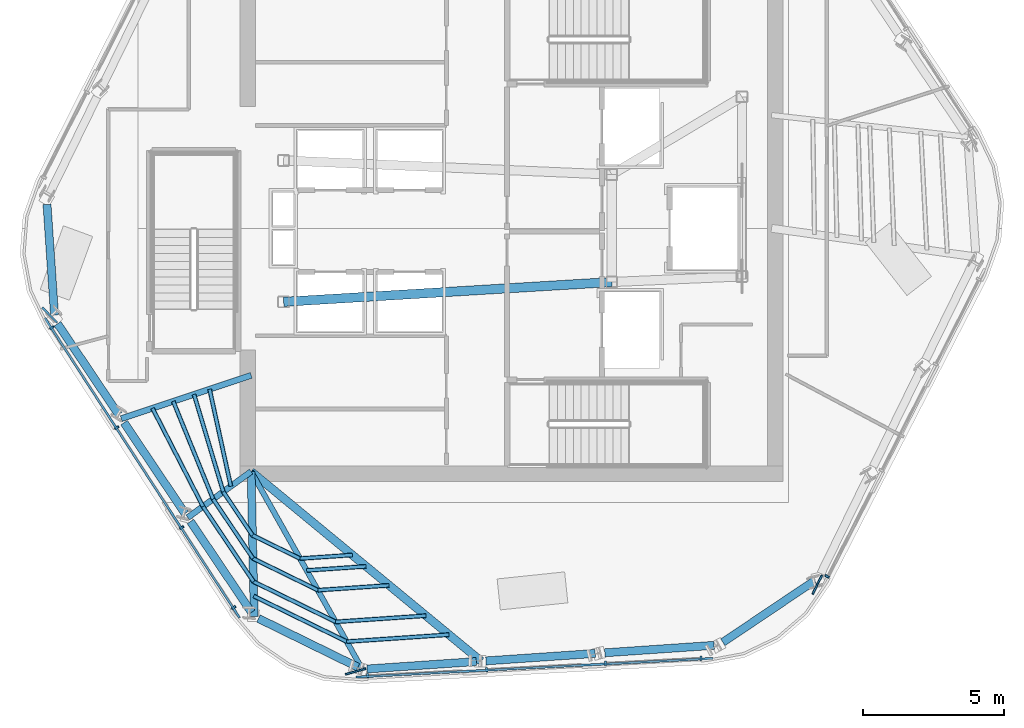
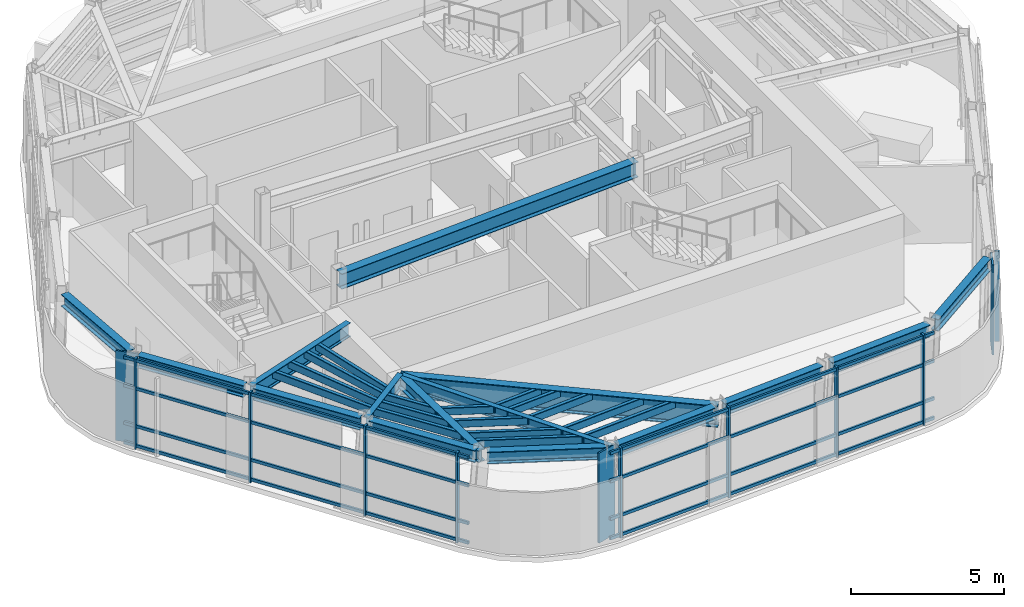
# One storey, part 2 of 13: 36 members, 15 beams, 3 elements without a shape of their own.
"""IFC4 building model written with IfcOpenShell, lengths in metres."""

import ifcopenshell
import ifcopenshell.guid

model = None  # the IFC model being written
_history = None  # IfcOwnerHistory: only IFC2X3 demands one
_inside = {}  # id of a spatial element -> (the spatial element, [elements in it])
_under = {}  # id of a project, library or spatial element -> (it, [spatial elements below it])
_declared = {}  # id of a project -> (the project, [libraries it declares])
_typed = {}  # id of a type object -> (the type object, [elements of that type])
_made_of = {}  # id of a material, layer set ... -> (it, [elements and type objects made of it])


def new_model(schema):
    """Start an empty IFC model of exactly this schema.

    Asked for "IFC4X3", IfcOpenShell would pick the latest addendum, in which some entities
    have other attributes; the version numbers below select the first issue.
    IFC2X3 requires an IfcOwnerHistory on every rooted entity: one is made here for all.
    """
    global model, _history
    if schema == "IFC4X3":
        model = ifcopenshell.file(schema_version=(4, 3, 0, 0))
    else:
        model = ifcopenshell.file(schema=schema)
    _inside.clear()
    _under.clear()
    _declared.clear()
    _typed.clear()
    _made_of.clear()
    _history = None
    if model.schema == "IFC2X3":
        org = make("IfcOrganization", Name="unknown")
        user = make(
            "IfcPersonAndOrganization",
            ThePerson=make("IfcPerson", FamilyName="unknown"),
            TheOrganization=org,
        )
        app = make(
            "IfcApplication",
            ApplicationDeveloper=org,
            Version="unknown",
            ApplicationFullName="unknown",
            ApplicationIdentifier="unknown",
        )
        _history = make(
            "IfcOwnerHistory",
            OwningUser=user,
            OwningApplication=app,
            ChangeAction="ADDED",
            CreationDate=0,
        )
    return model


def make(cls, **values):
    """One entity of the class cls with the attributes given. An attribute that is None is left unset."""
    return model.create_entity(
        cls, **{name: value for name, value in values.items() if value is not None}
    )


def rooted(cls, **values):
    """An entity with a GlobalId (a new one), such as an element, a storey or a relation."""
    return make(cls, GlobalId=ifcopenshell.guid.new(), OwnerHistory=_history, **values)


def si_unit(unit_type, name, prefix=None):
    """IfcSIUnit, for example si_unit("LENGTHUNIT", "METRE", prefix="MILLI")."""
    return make("IfcSIUnit", UnitType=unit_type, Prefix=prefix, Name=name)


def assignment(units):
    """IfcUnitAssignment: the units of a project."""
    return None if units is None else make("IfcUnitAssignment", Units=units)


def point(xyz):
    """IfcCartesianPoint."""
    return None if xyz is None else make("IfcCartesianPoint", Coordinates=xyz)


def direction(xyz):
    """IfcDirection."""
    return None if xyz is None else make("IfcDirection", DirectionRatios=xyz)


def frame(location, z_axis=None, x_axis=None):
    """IfcAxis2Placement3D, a coordinate frame: its origin and axes. An axis left out is left unset."""
    return make(
        "IfcAxis2Placement3D",
        Location=point(location),
        Axis=direction(z_axis),
        RefDirection=direction(x_axis),
    )


def frame_2d(location, x_axis=None):
    """IfcAxis2Placement2D, a coordinate frame in the plane: its origin and x axis."""
    return make(
        "IfcAxis2Placement2D", Location=point(location), RefDirection=direction(x_axis)
    )


def origin():
    """The frame at (0, 0, 0) with its axes left unset."""
    return frame((0.0, 0.0, 0.0))


def origin_2d():
    """The frame at (0, 0) in the plane with its x axis left unset."""
    return frame_2d((0.0, 0.0))


def place(relative_to, where):
    """IfcLocalPlacement: puts the frame where relative to a parent placement (None: the world)."""
    return make(
        "IfcLocalPlacement", PlacementRelTo=relative_to, RelativePlacement=where
    )


def context(
    kind, dimensions, precision=None, world=None, true_north=None, identifier=None
):
    """IfcGeometricRepresentationContext, for example the 3D "Model" context."""
    return make(
        "IfcGeometricRepresentationContext",
        ContextIdentifier=identifier,
        ContextType=kind,
        CoordinateSpaceDimension=dimensions,
        Precision=precision,
        WorldCoordinateSystem=world,
        TrueNorth=true_north,
    )


def subcontext(parent, identifier, kind, view, scale=None):
    """IfcGeometricRepresentationSubContext, for example "Body" below "Model"."""
    return make(
        "IfcGeometricRepresentationSubContext",
        ContextIdentifier=identifier,
        ContextType=kind,
        ParentContext=parent,
        TargetScale=scale,
        TargetView=view,
    )


def project(units=None, contexts=None):
    """IfcProject with its units and contexts."""
    return rooted(
        "IfcProject",
        Name="project",
        RepresentationContexts=contexts,
        UnitsInContext=assignment(units),
    )


def spatial(cls, under=None, at=None, **own):
    """A site, building, storey or space (cls), placed at a placement, below another one or the project."""
    s = rooted(cls, ObjectPlacement=at, **own)
    if under is not None:
        _under.setdefault(under.id(), (under, []))[1].append(s)
    return s


def profile(cls, at=None, kind="AREA", **sizes):
    """A parametric profile (cls). Its sizes go by their IFC names, for example OverallWidth=200.0."""
    return make(cls, ProfileType=kind, Position=at, **sizes)


def rectangle(**sizes):
    """IfcRectangleProfileDef."""
    return profile("IfcRectangleProfileDef", **sizes)


def hollow_rectangle(**sizes):
    """IfcRectangleHollowProfileDef."""
    return profile("IfcRectangleHollowProfileDef", **sizes)


def i_section(**sizes):
    """IfcIShapeProfileDef."""
    return profile("IfcIShapeProfileDef", **sizes)


def extrude(swept, where, along, depth):
    """IfcExtrudedAreaSolid: the profile swept, set in the frame where, extruded along a direction by depth."""
    return make(
        "IfcExtrudedAreaSolid",
        SweptArea=swept,
        Position=where,
        ExtrudedDirection=direction(along),
        Depth=depth,
    )


def shape(context_of_items, identifier, shape_type, items):
    """IfcShapeRepresentation: the items that make up one representation, for example the "Body"."""
    return make(
        "IfcShapeRepresentation",
        ContextOfItems=context_of_items,
        RepresentationIdentifier=identifier,
        RepresentationType=shape_type,
        Items=items,
    )


def material(Name=None, Category=None):
    """IfcMaterial."""
    return make("IfcMaterial", Name=Name, Category=Category)


def layer(
    of_material, thickness, ventilated=None, Name=None, Category=None, Priority=None
):
    """IfcMaterialLayer: one layer of a wall or slab, of a material (None: an air gap)."""
    return make(
        "IfcMaterialLayer",
        Material=of_material,
        LayerThickness=thickness,
        IsVentilated=ventilated,
        Name=Name,
        Category=Category,
        Priority=Priority,
    )


def layer_set(layers, Name=None):
    """IfcMaterialLayerSet."""
    return make("IfcMaterialLayerSet", MaterialLayers=layers, LayerSetName=Name)


def material_profile(
    of_material, cross_section, Name=None, Category=None, Priority=None
):
    """IfcMaterialProfile: a cross section and its material."""
    return make(
        "IfcMaterialProfile",
        Name=Name,
        Material=of_material,
        Profile=cross_section,
        Priority=Priority,
        Category=Category,
    )


def profile_set(profiles, Name=None, composite=None):
    """IfcMaterialProfileSet."""
    return make(
        "IfcMaterialProfileSet",
        Name=Name,
        MaterialProfiles=profiles,
        CompositeProfile=composite,
    )


def made_of(thing, what):
    """Note that an element or type object is made of a material, layer set ...; save() writes the relation."""
    if what is not None:
        _made_of.setdefault(what.id(), (what, []))[1].append(thing)
    return thing


def type_object(cls, material=None, **own):
    """A type object (cls), such as IfcWallType, which elements share."""
    return made_of(rooted(cls, **own), material)


def element(
    cls,
    number,
    at=None,
    inside=None,
    cuts=None,
    type_object=None,
    material=None,
    context=None,
    identifier="Body",
    shape_type=None,
    held_by="IfcProductDefinitionShape",
    body=None,
    shapes=None,
    **own,
):
    """One element of the class cls, such as IfcWall. Its Tag is "e" and its number.

    at: its placement. inside: the storey or other place that contains it. cuts: it is an
    opening in that element (IfcRelVoidsElement). A single representation is given by context,
    identifier, shape_type and body (its items); several are given by shapes. held_by: the class
    of the entity that holds the representations. save() writes the other relations.
    """
    e = rooted(cls, Tag="e%d" % number, ObjectPlacement=at, **own)
    if body is not None:
        shapes = [shape(context, identifier, shape_type, body)]
    if shapes is not None:
        e.Representation = make(held_by, Representations=shapes)
    if inside is not None:
        _inside.setdefault(inside.id(), (inside, []))[1].append(e)
    if cuts is not None:
        rooted(
            "IfcRelVoidsElement", RelatingBuildingElement=cuts, RelatedOpeningElement=e
        )
    if type_object is not None:
        _typed.setdefault(type_object.id(), (type_object, []))[1].append(e)
    return made_of(e, material)


def aggregate(whole, parts):
    """IfcRelAggregates: a whole, such as a stair, and the parts it consists of."""
    return rooted("IfcRelAggregates", RelatingObject=whole, RelatedObjects=parts)


def save(model, path):
    """Write the relations noted so far, then the file.

    IfcRelAggregates (storeys below a building ...), IfcRelContainedInSpatialStructure (elements
    in a storey), IfcRelDefinesByType, IfcRelAssociatesMaterial and IfcRelDeclares: one each for
    every whole, place, type object, material and project.
    """
    for whole, parts in _under.values():
        aggregate(whole, parts)
    for where, things in _inside.values():
        rooted(
            "IfcRelContainedInSpatialStructure",
            RelatedElements=things,
            RelatingStructure=where,
        )
    for kind, things in _typed.values():
        rooted("IfcRelDefinesByType", RelatedObjects=things, RelatingType=kind)
    for what, things in _made_of.values():
        rooted("IfcRelAssociatesMaterial", RelatedObjects=things, RelatingMaterial=what)
    for by, libraries in _declared.values():
        rooted("IfcRelDeclares", RelatingContext=by, RelatedDefinitions=libraries)
    model.write(path)


model = new_model("IFC4")

# Units and contexts
model_context = context("Model", 3, precision=1e-05, world=origin(), true_north=direction((0.0, 1.0)))
body_context = subcontext(model_context, "Body", "Model", "MODEL_VIEW")
ifc_project = project(units=[si_unit("LENGTHUNIT", "METRE"), si_unit("AREAUNIT", "SQUARE_METRE"), si_unit("VOLUMEUNIT", "CUBIC_METRE"), si_unit("PLANEANGLEUNIT", "RADIAN"), si_unit("MASSUNIT", "GRAM", prefix="KILO")], contexts=[model_context])

# Site, building, storey
site_placement = place(None, origin())
site = spatial("IfcSite", under=ifc_project, at=site_placement, CompositionType="ELEMENT")
building_placement = place(site_placement, origin())
building = spatial("IfcBuilding", under=site, at=building_placement, Name="Valkerne Bourse Tower", CompositionType="ELEMENT")
storey_placement = place(building_placement, frame((0.0, 0.0, 296.39990234375)))
storey = spatial("IfcBuildingStorey", under=building, at=storey_placement, Name="L75", CompositionType="ELEMENT", Elevation=296.39990234375)

# Beams
ifc_material_1 = material(Name="Steel ASTM A992", Category="steel")
ifc_material_profile_1 = material_profile(ifc_material_1, i_section(OverallWidth=0.284423828125, OverallDepth=0.47509765625, WebThickness=0.014892578125, FlangeThickness=0.02392578125, FilletRadius=0.017822265625, at=origin_2d()), Name="W18X106")
ifc_profile_set_1 = profile_set([ifc_material_profile_1], Name="Steel ASTM A992")
beam_type_1 = type_object("IfcBeamType", Name="BM-W18X106", PredefinedType="BEAM", material=ifc_profile_set_1)
beam_1_placement = place(storey_placement, frame((30.38330078125, 27.84326171875, 3.362548828125), z_axis=(0.067959007905, -0.997688114214, 0.0), x_axis=(0.997688114214, 0.067959007905, 0.0)))
element("IfcBeam", 1, at=beam_1_placement, inside=storey, type_object=beam_type_1, Name="L75 Hexagonal Spandrel Ring Beam 07", PredefinedType="BEAM", context=body_context, shape_type="SweptSolid", body=[
    extrude(i_section(OverallWidth=0.284423828125, OverallDepth=0.47509765625, WebThickness=0.014892578125, FlangeThickness=0.02392578125, FilletRadius=0.017822265625, at=origin_2d()), origin(), (0.0, 0.0, 1.0), 3.915771484375),
])
for number, where, z_axis, x_axis, name in (
    (2, (30.755859375, 23.6259765625, 3.362548828125), (0.557708580923, -0.830036829764, 0.0), (0.830036829764, 0.557708580923, 0.0), "L75 Hexagonal Spandrel Ring Beam 08"),
    (3, (33.10498046875, 20.1298828125, 3.362548828125), (0.557752020071, -0.830007640993, 0.0), (0.830007640993, 0.557752020071, 0.0), "L75 Hexagonal Spandrel Ring Beam 09"),
):
    element("IfcBeam", number, at=place(storey_placement, frame(where, z_axis=z_axis, x_axis=x_axis)), inside=storey, type_object=beam_type_1, Name=name, PredefinedType="BEAM", context=body_context, shape_type="SweptSolid", body=[
        extrude(i_section(OverallWidth=0.284423828125, OverallDepth=0.47509765625, WebThickness=0.014892578125, FlangeThickness=0.02392578125, FilletRadius=0.017822265625, at=origin_2d()), origin(), (0.0, 0.0, 1.0), 3.8720703125),
    ])
beam_2_placement = place(storey_placement, frame((35.454345703125, 16.6337890625, 3.362548828125), z_axis=(0.557781210136, -0.829988024985, 0.0), x_axis=(0.829988024985, 0.557781210136, 0.0)))
element("IfcBeam", 4, at=beam_2_placement, inside=storey, type_object=beam_type_1, Name="L75 Hexagonal Spandrel Ring Beam 10", PredefinedType="BEAM", context=body_context, shape_type="SweptSolid", body=[
    extrude(i_section(OverallWidth=0.284423828125, OverallDepth=0.47509765625, WebThickness=0.014892578125, FlangeThickness=0.02392578125, FilletRadius=0.017822265625, at=origin_2d()), origin(), (0.0, 0.0, 1.0), 3.871826171875),
])
beam_3_placement = place(storey_placement, frame((37.861328125, 13.2041015625, 3.362548828125), z_axis=(0.898026513904, -0.439941337368, 0.0), x_axis=(0.439941337368, 0.898026513904, 0.0)))
element("IfcBeam", 5, at=beam_3_placement, inside=storey, type_object=beam_type_1, Name="L75 Hexagonal Spandrel Ring Beam 11", PredefinedType="BEAM", context=body_context, shape_type="SweptSolid", body=[
    extrude(i_section(OverallWidth=0.284423828125, OverallDepth=0.47509765625, WebThickness=0.014892578125, FlangeThickness=0.02392578125, FilletRadius=0.017822265625, at=origin_2d()), origin(), (0.0, 0.0, 1.0), 3.915771484375),
])
beam_4_placement = place(storey_placement, frame((41.699951171875, 11.418212890625, 3.362548828125), z_axis=(0.997683011857, 0.06803387283, 0.0), x_axis=(-0.06803387283, 0.997683011857, 0.0)))
element("IfcBeam", 6, at=beam_4_placement, inside=storey, type_object=beam_type_1, Name="L75 Hexagonal Spandrel Ring Beam 12", PredefinedType="BEAM", context=body_context, shape_type="SweptSolid", body=[
    extrude(i_section(OverallWidth=0.284423828125, OverallDepth=0.47509765625, WebThickness=0.014892578125, FlangeThickness=0.02392578125, FilletRadius=0.017822265625, at=origin_2d()), origin(), (0.0, 0.0, 1.0), 3.8720703125),
])
beam_5_placement = place(storey_placement, frame((45.902099609375, 11.704833984375, 3.362548828125), z_axis=(0.997687580964, 0.067966835963, 0.0), x_axis=(-0.067966835963, 0.997687580964, 0.0)))
element("IfcBeam", 7, at=beam_5_placement, inside=storey, type_object=beam_type_1, Name="L75 Hexagonal Spandrel Ring Beam 13", PredefinedType="BEAM", context=body_context, shape_type="SweptSolid", body=[
    extrude(i_section(OverallWidth=0.284423828125, OverallDepth=0.47509765625, WebThickness=0.014892578125, FlangeThickness=0.02392578125, FilletRadius=0.017822265625, at=origin_2d()), origin(), (0.0, 0.0, 1.0), 3.872314453125),
])
beam_6_placement = place(storey_placement, frame((50.1044921875, 11.9912109375, 3.362548828125), z_axis=(0.997683011857, 0.06803387283, 0.0), x_axis=(-0.06803387283, 0.997683011857, 0.0)))
element("IfcBeam", 8, at=beam_6_placement, inside=storey, type_object=beam_type_1, Name="L75 Hexagonal Spandrel Ring Beam 14", PredefinedType="BEAM", context=body_context, shape_type="SweptSolid", body=[
    extrude(i_section(OverallWidth=0.284423828125, OverallDepth=0.47509765625, WebThickness=0.014892578125, FlangeThickness=0.02392578125, FilletRadius=0.017822265625, at=origin_2d()), origin(), (0.0, 0.0, 1.0), 3.8720703125),
])
beam_7_placement = place(storey_placement, frame((54.2783203125, 12.361083984375, 3.362548828125), z_axis=(0.830020735622, 0.557732533063, 0.0), x_axis=(-0.557732533063, 0.830020735622, 0.0)))
element("IfcBeam", 9, at=beam_7_placement, inside=storey, type_object=beam_type_1, Name="L75 Hexagonal Spandrel Ring Beam 15", PredefinedType="BEAM", context=body_context, shape_type="SweptSolid", body=[
    extrude(i_section(OverallWidth=0.284423828125, OverallDepth=0.47509765625, WebThickness=0.014892578125, FlangeThickness=0.02392578125, FilletRadius=0.017822265625, at=origin_2d()), origin(), (0.0, 0.0, 1.0), 3.91552734375),
])
ifc_material_profile_2 = material_profile(ifc_material_1, i_section(OverallWidth=0.1904296875, OverallDepth=0.457275390625, WebThickness=0.009033203125, FlangeThickness=0.014404296875, FilletRadius=0.01513671875, at=origin_2d()), Name="W18X50")
ifc_profile_set_2 = profile_set([ifc_material_profile_2], Name="Steel ASTM A992")
beam_type_2 = type_object("IfcBeamType", Name="BM-W18X50", PredefinedType="JOIST", material=ifc_profile_set_2)
beam_8_placement = place(storey_placement, frame((41.530517578125, 11.40673828125, 3.37158203125), z_axis=(-0.489954883865, 0.87174779138, 0.0), x_axis=(-0.87174779138, -0.489954883865, 0.0)))
element("IfcBeam", 10, at=beam_8_placement, inside=storey, type_object=beam_type_2, Name="L75 Radial Composite Floor Beam 12", PredefinedType="JOIST", context=body_context, shape_type="SweptSolid", body=[
    extrude(i_section(OverallWidth=0.1904296875, OverallDepth=0.457275390625, WebThickness=0.009033203125, FlangeThickness=0.014404296875, FilletRadius=0.01513671875, at=origin_2d()), origin(), (0.0, 0.0, 1.0), 8.02197265625),
])
ifc_material_profile_3 = material_profile(ifc_material_1, i_section(OverallWidth=0.279296875, OverallDepth=0.46240234375, WebThickness=0.0107421875, FlangeThickness=0.017333984375, FilletRadius=0.017822265625, at=origin_2d()), Name="W18X76")
ifc_profile_set_3 = profile_set([ifc_material_profile_3], Name="Steel ASTM A992")
beam_type_3 = type_object("IfcBeamType", Name="BM-W18X76", PredefinedType="BEAM", material=ifc_profile_set_3)
beam_9_placement = place(storey_placement, frame((37.708740234375, 13.279052734375, 3.368896484375), z_axis=(-0.021210959948, 0.999775022282, 0.0), x_axis=(-0.999775022282, -0.021210959948, 0.0)))
element("IfcBeam", 11, at=beam_9_placement, inside=storey, type_object=beam_type_3, Name="L75 Radial Composite Floor Beam 11", PredefinedType="BEAM", context=body_context, shape_type="SweptSolid", body=[
    extrude(i_section(OverallWidth=0.279296875, OverallDepth=0.46240234375, WebThickness=0.0107421875, FlangeThickness=0.017333984375, FilletRadius=0.017822265625, at=origin_2d()), origin(), (0.0, 0.0, 1.0), 5.1220703125),
])
ifc_material_profile_4 = material_profile(ifc_material_1, i_section(OverallWidth=0.209228515625, OverallDepth=0.533447265625, WebThickness=0.01025390625, FlangeThickness=0.015625, FilletRadius=0.017822265625, at=origin_2d()), Name="W21X62")
ifc_profile_set_4 = profile_set([ifc_material_profile_4], Name="Steel ASTM A992")
beam_type_4 = type_object("IfcBeamType", Name="BM-W21X62", PredefinedType="JOIST", material=ifc_profile_set_4)
beam_10_placement = place(storey_placement, frame((35.359619140625, 16.77490234375, 3.33349609375), z_axis=(0.809498296715, 0.587122225448, 0.0), x_axis=(-0.587122225448, 0.809498296715, 0.0)))
element("IfcBeam", 12, at=beam_10_placement, inside=storey, type_object=beam_type_4, Name="L75 Radial Composite Floor Beam 10", PredefinedType="JOIST", context=body_context, shape_type="SweptSolid", body=[
    extrude(i_section(OverallWidth=0.209228515625, OverallDepth=0.533447265625, WebThickness=0.01025390625, FlangeThickness=0.015625, FilletRadius=0.017822265625, at=origin_2d()), origin(), (0.0, 0.0, 1.0), 2.767822265625),
])
ifc_material_profile_5 = material_profile(ifc_material_1, i_section(OverallWidth=0.2138671875, OverallDepth=0.548583984375, WebThickness=0.0146484375, FlangeThickness=0.023681640625, FilletRadius=0.017822265625, at=origin_2d()), Name="W21X93")
ifc_profile_set_5 = profile_set([ifc_material_profile_5], Name="Steel ASTM A992")
beam_type_5 = type_object("IfcBeamType", Name="BM-W21X93", PredefinedType="BEAM", material=ifc_profile_set_5)
beam_11_placement = place(storey_placement, frame((33.01025390625, 20.27099609375, 3.32568359375), z_axis=(0.948738794746, 0.316061227207, 0.0), x_axis=(-0.316061227207, 0.948738794746, 0.0)))
element("IfcBeam", 13, at=beam_11_placement, inside=storey, type_object=beam_type_5, Name="L75 Radial Composite Floor Beam 09", PredefinedType="BEAM", context=body_context, shape_type="SweptSolid", body=[
    extrude(i_section(OverallWidth=0.2138671875, OverallDepth=0.548583984375, WebThickness=0.0146484375, FlangeThickness=0.023681640625, FilletRadius=0.017822265625, at=origin_2d()), origin(), (0.0, 0.0, 1.0), 4.837890625),
])
ifc_material_profile_6 = material_profile(ifc_material_1, i_section(OverallWidth=0.3251953125, OverallDepth=0.612060546875, WebThickness=0.0126953125, FlangeThickness=0.01904296875, FilletRadius=0.020263671875, at=origin_2d()), Name="W24X104")
ifc_profile_set_6 = profile_set([ifc_material_profile_6], Name="Steel ASTM A992")
beam_type_6 = type_object("IfcBeamType", Name="BM-W24X104", PredefinedType="BEAM", material=ifc_profile_set_6)
beam_12_placement = place(storey_placement, frame((38.75, 24.39990234375, 3.2939453125), z_axis=(0.998183228389, 0.060251494276, 0.0), x_axis=(-0.060251494276, 0.998183228389, 0.0)))
element("IfcBeam", 14, at=beam_12_placement, inside=storey, type_object=beam_type_6, Name="L75 Core Frame Girder CG-SW", PredefinedType="BEAM", context=body_context, shape_type="SweptSolid", body=[
    extrude(i_section(OverallWidth=0.3251953125, OverallDepth=0.612060546875, WebThickness=0.0126953125, FlangeThickness=0.01904296875, FilletRadius=0.020263671875, at=origin_2d()), origin(), (0.0, 0.0, 1.0), 11.62109375),
])
ifc_material_profile_7 = material_profile(ifc_material_1, i_section(OverallWidth=0.2919921875, OverallDepth=0.8583984375, WebThickness=0.01708984375, FlangeThickness=0.031005859375, FilletRadius=0.025390625, at=origin_2d()), Name="W33X169")
ifc_profile_set_7 = profile_set([ifc_material_profile_7], Name="Steel ASTM A992")
beam_type_7 = type_object("IfcBeamType", Name="BM-W33X169", PredefinedType="BEAM", material=ifc_profile_set_7)
beam_13_placement = place(storey_placement, frame((45.732666015625, 11.693115234375, 3.1708984375), z_axis=(-0.77149349346, 0.636237211697, 0.0), x_axis=(-0.636237211697, -0.77149349346, 0.0)))
element("IfcBeam", 15, at=beam_13_placement, inside=storey, type_object=beam_type_7, Name="L75 Radial Composite Floor Beam 13", PredefinedType="BEAM", context=body_context, shape_type="SweptSolid", body=[
    extrude(i_section(OverallWidth=0.2919921875, OverallDepth=0.8583984375, WebThickness=0.01708984375, FlangeThickness=0.031005859375, FilletRadius=0.025390625, at=origin_2d()), origin(), (0.0, 0.0, 1.0), 10.541259765625),
])

# Curtain wall, members
ifc_material_2 = material(Name="Aluminium AA 6063-T6", Category="aluminium")
ifc_layer = layer(ifc_material_2, 0.2451171875)
ifc_layer_set = layer_set([ifc_layer], Name="Aluminium AA 6063-T6")
curtain_wall_type = type_object("IfcCurtainWallType", Name="CW-05", PredefinedType="NOTDEFINED", material=ifc_layer_set)
curtain_wall_1_placement = place(storey_placement, origin())
curtain_wall_1 = element("IfcCurtainWall", 16, at=curtain_wall_1_placement, inside=storey, type_object=curtain_wall_type, Name="L75 Hexagonal Stick Curtain Wall Face 3", PredefinedType="NOTDEFINED")
ifc_material_profile_8 = material_profile(ifc_material_2, rectangle(XDim=0.074951171875, YDim=0.159912109375, at=origin_2d()), Name="CWM-75X160")
ifc_profile_set_8 = profile_set([ifc_material_profile_8], Name="Aluminium AA 6063-T6")
member_type_1 = type_object("IfcMemberType", Name="CW-MUL-160X75", PredefinedType="MULLION", material=ifc_profile_set_8)
member_1_placement = place(storey_placement, frame((30.555908203125, 23.4833984375, 0.0), z_axis=(0.0, 0.0, 1.0), x_axis=(0.544633637344, -0.838674073209, 0.0)))
member_1 = element("IfcMember", 17, at=member_1_placement, type_object=member_type_1, Name="CW-L75-F3 Jamb Mullion 00A", PredefinedType="MULLION", context=body_context, shape_type="SweptSolid", body=[
    extrude(rectangle(XDim=0.074951171875, YDim=0.159912109375, at=origin_2d()), origin(), (0.0, 0.0, 1.0), 3.60009765625),
])
member_2_placement = place(storey_placement, frame((32.849853515625, 19.950927734375, 0.0), z_axis=(0.0, 0.0, 1.0), x_axis=(0.544650336291, -0.838663228703, 0.0)))
member_2 = element("IfcMember", 18, at=member_2_placement, type_object=member_type_1, Name="CW-L75-F3 Jamb Mullion 01A", PredefinedType="MULLION", context=body_context, shape_type="SweptSolid", body=[
    extrude(rectangle(XDim=0.074951171875, YDim=0.159912109375, at=origin_2d()), origin(), (0.0, 0.0, 1.0), 3.60009765625),
])
member_3_placement = place(storey_placement, frame((35.143798828125, 16.41845703125, 0.0), z_axis=(0.0, 0.0, 1.0), x_axis=(0.544633637344, -0.838674073209, 0.0)))
member_3 = element("IfcMember", 19, at=member_3_placement, type_object=member_type_1, Name="CW-L75-F3 Jamb Mullion 02A", PredefinedType="MULLION", context=body_context, shape_type="SweptSolid", body=[
    extrude(rectangle(XDim=0.074951171875, YDim=0.159912109375, at=origin_2d()), origin(), (0.0, 0.0, 1.0), 3.60009765625),
])
member_4_placement = place(storey_placement, frame((36.98046875, 13.590576171875, 0.0), z_axis=(0.0, 0.0, 1.0), x_axis=(0.544633637344, -0.838674073209, 0.0)))
member_4 = element("IfcMember", 20, at=member_4_placement, type_object=member_type_1, Name="CW-L75-F3 Jamb Mullion 02B", PredefinedType="MULLION", context=body_context, shape_type="SweptSolid", body=[
    extrude(rectangle(XDim=0.074951171875, YDim=0.159912109375, at=origin_2d()), origin(), (0.0, 0.0, 1.0), 3.60009765625),
])

curtain_wall_2_placement = place(storey_placement, origin())
curtain_wall_2 = element("IfcCurtainWall", 21, at=curtain_wall_2_placement, inside=storey, type_object=curtain_wall_type, Name="L75 Hexagonal Stick Curtain Wall Face 4", PredefinedType="NOTDEFINED")
member_5_placement = place(storey_placement, frame((41.723388671875, 11.173828125, 0.0), z_axis=(0.0, 0.0, 1.0), x_axis=(0.998628760371, 0.052350730263, 0.0)))
member_5 = element("IfcMember", 22, at=member_5_placement, type_object=member_type_1, Name="CW-L75-F4 Jamb Mullion 00A", PredefinedType="MULLION", context=body_context, shape_type="SweptSolid", body=[
    extrude(rectangle(XDim=0.074951171875, YDim=0.159912109375, at=origin_2d()), origin(), (0.0, 0.0, 1.0), 3.60009765625),
])
member_6_placement = place(storey_placement, frame((45.929443359375, 11.394287109375, 0.0), z_axis=(0.0, 0.0, 1.0), x_axis=(0.998630066296, 0.05232581285, 0.0)))
member_6 = element("IfcMember", 23, at=member_6_placement, type_object=member_type_1, Name="CW-L75-F4 Jamb Mullion 01A", PredefinedType="MULLION", context=body_context, shape_type="SweptSolid", body=[
    extrude(rectangle(XDim=0.074951171875, YDim=0.159912109375, at=origin_2d()), origin(), (0.0, 0.0, 1.0), 3.60009765625),
])
member_7_placement = place(storey_placement, frame((50.1357421875, 11.61474609375, 0.0), z_axis=(0.0, 0.0, 1.0), x_axis=(0.99863000129, 0.052327053456, 0.0)))
member_7 = element("IfcMember", 24, at=member_7_placement, type_object=member_type_1, Name="CW-L75-F4 Jamb Mullion 02A", PredefinedType="MULLION", context=body_context, shape_type="SweptSolid", body=[
    extrude(rectangle(XDim=0.074951171875, YDim=0.159912109375, at=origin_2d()), origin(), (0.0, 0.0, 1.0), 3.60009765625),
])
member_8_placement = place(storey_placement, frame((53.503173828125, 11.791259765625, 0.0), z_axis=(0.0, 0.0, 1.0), x_axis=(0.99863000129, 0.052327053456, 0.0)))
member_8 = element("IfcMember", 25, at=member_8_placement, type_object=member_type_1, Name="CW-L75-F4 Jamb Mullion 02B", PredefinedType="MULLION", context=body_context, shape_type="SweptSolid", body=[
    extrude(rectangle(XDim=0.074951171875, YDim=0.159912109375, at=origin_2d()), origin(), (0.0, 0.0, 1.0), 3.60009765625),
])

# Curtain wall, member
curtain_wall_3_placement = place(storey_placement, origin())
curtain_wall_3 = element("IfcCurtainWall", 26, at=curtain_wall_3_placement, inside=storey, type_object=curtain_wall_type, Name="L75 Hexagonal Stick Curtain Wall Face 5", PredefinedType="NOTDEFINED")
member_9_placement = place(storey_placement, frame((57.967529296875, 14.6904296875, 0.0), z_axis=(0.0, 0.0, 1.0), x_axis=(0.453981261925, 0.89101123103, 0.0)))
member_9 = element("IfcMember", 27, at=member_9_placement, type_object=member_type_1, Name="CW-L75-F5 Jamb Mullion 00A", PredefinedType="MULLION", context=body_context, shape_type="SweptSolid", body=[
    extrude(rectangle(XDim=0.074951171875, YDim=0.159912109375, at=origin_2d()), origin(), (0.0, 0.0, 1.0), 3.60009765625),
])
aggregate(curtain_wall_3, [member_9])

# Member
ifc_material_profile_9 = material_profile(ifc_material_2, rectangle(XDim=0.074951171875, YDim=0.1201171875, at=origin_2d()), Name="CWT-75X120")
ifc_profile_set_9 = profile_set([ifc_material_profile_9], Name="Aluminium AA 6063-T6")
member_type_2 = type_object("IfcMemberType", Name="CW-TRN-120X75", PredefinedType="USERDEFINED", material=ifc_profile_set_9)
member_10_placement = place(storey_placement, frame((30.310302734375, 23.82470703125, 0.1201171875), z_axis=(0.544641271926, -0.838669115274, 0.0), x_axis=(0.838669115274, 0.544641271926, 0.0)))
member_10 = element("IfcMember", 28, at=member_10_placement, type_object=member_type_2, Name="CW-L75-F3 Continuous Face Transom 1", ObjectType="TRANSOM", PredefinedType="USERDEFINED", context=body_context, shape_type="SweptSolid", body=[
    extrude(rectangle(XDim=0.074951171875, YDim=0.1201171875, at=origin_2d()), origin(), (0.0, 0.0, 1.0), 12.635986328125),
])

member_11_placement = place(storey_placement, frame((30.310302734375, 23.82470703125, 0.900146484375), z_axis=(0.544641271926, -0.838669115274, 0.0), x_axis=(0.838669115274, 0.544641271926, 0.0)))
member_11 = element("IfcMember", 29, at=member_11_placement, type_object=member_type_2, Name="CW-L75-F3 Continuous Face Transom 2", ObjectType="TRANSOM", PredefinedType="USERDEFINED", context=body_context, shape_type="SweptSolid", body=[
    extrude(rectangle(XDim=0.074951171875, YDim=0.1201171875, at=origin_2d()), origin(), (0.0, 0.0, 1.0), 12.635986328125),
])

member_12_placement = place(storey_placement, frame((30.310302734375, 23.82470703125, 2.400146484375), z_axis=(0.544641271926, -0.838669115274, 0.0), x_axis=(0.838669115274, 0.544641271926, 0.0)))
member_12 = element("IfcMember", 30, at=member_12_placement, type_object=member_type_2, Name="CW-L75-F3 Continuous Face Transom 3", ObjectType="TRANSOM", PredefinedType="USERDEFINED", context=body_context, shape_type="SweptSolid", body=[
    extrude(rectangle(XDim=0.074951171875, YDim=0.1201171875, at=origin_2d()), origin(), (0.0, 0.0, 1.0), 12.635986328125),
])

member_13_placement = place(storey_placement, frame((30.310302734375, 23.82470703125, 3.52001953125), z_axis=(0.544641271926, -0.838669115274, 0.0), x_axis=(0.838669115274, 0.544641271926, 0.0)))
member_13 = element("IfcMember", 31, at=member_13_placement, type_object=member_type_2, Name="CW-L75-F3 Continuous Face Transom 4", ObjectType="TRANSOM", PredefinedType="USERDEFINED", context=body_context, shape_type="SweptSolid", body=[
    extrude(rectangle(XDim=0.074951171875, YDim=0.1201171875, at=origin_2d()), origin(), (0.0, 0.0, 1.0), 12.635986328125),
])

aggregate(curtain_wall_1, [member_10, member_11, member_12, member_13, member_1, member_2, member_3, member_4])

member_14_placement = place(storey_placement, frame((41.304931640625, 11.1318359375, 0.1201171875), z_axis=(0.998629280758, 0.052340802569, 0.0), x_axis=(-0.052340802569, 0.998629280758, 0.0)))
member_14 = element("IfcMember", 32, at=member_14_placement, type_object=member_type_2, Name="CW-L75-F4 Continuous Face Transom 1", ObjectType="TRANSOM", PredefinedType="USERDEFINED", context=body_context, shape_type="SweptSolid", body=[
    extrude(rectangle(XDim=0.074951171875, YDim=0.1201171875, at=origin_2d()), origin(), (0.0, 0.0, 1.0), 12.635986328125),
])

member_15_placement = place(storey_placement, frame((41.304931640625, 11.1318359375, 0.900146484375), z_axis=(0.998629280758, 0.052340802569, 0.0), x_axis=(-0.052340802569, 0.998629280758, 0.0)))
member_15 = element("IfcMember", 33, at=member_15_placement, type_object=member_type_2, Name="CW-L75-F4 Continuous Face Transom 2", ObjectType="TRANSOM", PredefinedType="USERDEFINED", context=body_context, shape_type="SweptSolid", body=[
    extrude(rectangle(XDim=0.074951171875, YDim=0.1201171875, at=origin_2d()), origin(), (0.0, 0.0, 1.0), 12.635986328125),
])

member_16_placement = place(storey_placement, frame((41.304931640625, 11.1318359375, 2.400146484375), z_axis=(0.998629280758, 0.052340802569, 0.0), x_axis=(-0.052340802569, 0.998629280758, 0.0)))
member_16 = element("IfcMember", 34, at=member_16_placement, type_object=member_type_2, Name="CW-L75-F4 Continuous Face Transom 3", ObjectType="TRANSOM", PredefinedType="USERDEFINED", context=body_context, shape_type="SweptSolid", body=[
    extrude(rectangle(XDim=0.074951171875, YDim=0.1201171875, at=origin_2d()), origin(), (0.0, 0.0, 1.0), 12.635986328125),
])

member_17_placement = place(storey_placement, frame((41.304931640625, 11.1318359375, 3.52001953125), z_axis=(0.998629280758, 0.052340802569, 0.0), x_axis=(-0.052340802569, 0.998629280758, 0.0)))
member_17 = element("IfcMember", 35, at=member_17_placement, type_object=member_type_2, Name="CW-L75-F4 Continuous Face Transom 4", ObjectType="TRANSOM", PredefinedType="USERDEFINED", context=body_context, shape_type="SweptSolid", body=[
    extrude(rectangle(XDim=0.074951171875, YDim=0.1201171875, at=origin_2d()), origin(), (0.0, 0.0, 1.0), 12.635986328125),
])

aggregate(curtain_wall_2, [member_14, member_15, member_16, member_17, member_5, member_6, member_7, member_8])

# Members
ifc_material_3 = material(Name="Bronze Anodised Aluminium AA 6063-T6", Category="aluminium")
ifc_material_profile_10 = material_profile(ifc_material_3, rectangle(XDim=0.06494140625, YDim=0.75, at=origin_2d()), Name="FIN-65X750")
ifc_profile_set_10 = profile_set([ifc_material_profile_10], Name="Bronze Anodised Aluminium AA 6063-T6")
member_type_3 = type_object("IfcMemberType", Name="FIN-SOLAR-650", PredefinedType="USERDEFINED", material=ifc_profile_set_10)
for number, where, z_axis, x_axis, name in (
    (36, (30.47802734375, 23.933837890625, 0.004150390625), (0.0, 0.0, 1.0), (-0.71279342711, -0.701374030221, 0.0), "L75 Bronze Anodised Solar Fin F3-00"),
    (37, (41.29443359375, 11.33154296875, 0.004150390625), (0.0, 0.0, 1.0), (0.269540948776, -0.96298892877, 0.0), "L75 Bronze Anodised Solar Fin F4-00"),
    (38, (57.616455078125, 14.39794921875, 0.004150390625), (0.0, 0.0, 1.0), (0.899549214931, -0.43681942484, 0.0), "L75 Bronze Anodised Solar Fin F5-00"),
):
    element("IfcMember", number, at=place(storey_placement, frame(where, z_axis=z_axis, x_axis=x_axis)), inside=storey, type_object=member_type_3, Name=name, ObjectType="SOLAR_FIN", PredefinedType="USERDEFINED", context=body_context, shape_type="SweptSolid", body=[
        extrude(rectangle(XDim=0.06494140625, YDim=0.75, at=origin_2d()), origin(), (0.0, 0.0, 1.0), 3.592041015625),
    ])
ifc_material_4 = material(Name="Steel ASTM A500 Grade C", Category="steel")
ifc_material_profile_11 = material_profile(ifc_material_4, hollow_rectangle(XDim=0.14990234375, YDim=0.300048828125, WallThickness=0.012451171875, OuterFilletRadius=0.02490234375, at=origin_2d()), Name="HSS300X150X12.5")
ifc_profile_set_11 = profile_set([ifc_material_profile_11], Name="Steel ASTM A500 Grade C")
member_type_4 = type_object("IfcMemberType", Name="MBR-HSS300X150X12.5", PredefinedType="PURLIN", material=ifc_profile_set_11)
member_18_placement = place(storey_placement, frame((36.13134765625, 21.310791015625, 3.440185546875), z_axis=(0.214022328208, -0.97682876853, 0.0), x_axis=(0.97682876853, 0.214022328208, 0.0)))
element("IfcMember", 39, at=member_18_placement, inside=storey, type_object=member_type_4, Name="L75 Secondary Composite Floor Purlin I-09", PredefinedType="PURLIN", context=body_context, shape_type="SweptSolid", body=[
    extrude(hollow_rectangle(XDim=0.14990234375, YDim=0.300048828125, WallThickness=0.012451171875, OuterFilletRadius=0.02490234375, at=origin_2d()), origin(), (0.0, 0.0, 1.0), 3.51220703125),
])
member_19_placement = place(storey_placement, frame((35.58056640625, 21.127197265625, 3.440185546875), z_axis=(0.287615855273, -0.957745853447, 0.0), x_axis=(0.957745853447, 0.287615855273, 0.0)))
element("IfcMember", 40, at=member_19_placement, inside=storey, type_object=member_type_4, Name="L75 Secondary Composite Floor Purlin K-09", PredefinedType="PURLIN", context=body_context, shape_type="SweptSolid", body=[
    extrude(hollow_rectangle(XDim=0.14990234375, YDim=0.300048828125, WallThickness=0.012451171875, OuterFilletRadius=0.02490234375, at=origin_2d()), origin(), (0.0, 0.0, 1.0), 3.593994140625),
])
member_20_placement = place(storey_placement, frame((36.6142578125, 17.68505859375, 3.440185546875), z_axis=(0.557645609806, -0.83007913711, 0.0), x_axis=(0.83007913711, 0.557645609806, 0.0)))
element("IfcMember", 41, at=member_20_placement, inside=storey, type_object=member_type_4, Name="L75 Secondary Composite Floor Purlin K-10", PredefinedType="PURLIN", context=body_context, shape_type="SweptSolid", body=[
    extrude(hollow_rectangle(XDim=0.14990234375, YDim=0.300048828125, WallThickness=0.012451171875, OuterFilletRadius=0.02490234375, at=origin_2d()), origin(), (0.0, 0.0, 1.0), 1.853271484375),
])
member_21_placement = place(storey_placement, frame((37.647705078125, 16.146728515625, 3.440185546875), z_axis=(0.898047992262, -0.439897492144, 0.0), x_axis=(0.439897492144, 0.898047992262, 0.0)))
element("IfcMember", 42, at=member_21_placement, inside=storey, type_object=member_type_4, Name="L75 Secondary Composite Floor Purlin K-11", PredefinedType="PURLIN", context=body_context, shape_type="SweptSolid", body=[
    extrude(hollow_rectangle(XDim=0.14990234375, YDim=0.300048828125, WallThickness=0.012451171875, OuterFilletRadius=0.02490234375, at=origin_2d()), origin(), (0.0, 0.0, 1.0), 1.87255859375),
])
member_22_placement = place(storey_placement, frame((39.329345703125, 15.322998046875, 3.440185546875), z_axis=(0.997686739709, 0.067979183638, 0.0), x_axis=(-0.067979183638, 0.997686739709, 0.0)))
element("IfcMember", 43, at=member_22_placement, inside=storey, type_object=member_type_4, Name="L75 Secondary Composite Floor Purlin K-12", PredefinedType="PURLIN", context=body_context, shape_type="SweptSolid", body=[
    extrude(hollow_rectangle(XDim=0.14990234375, YDim=0.300048828125, WallThickness=0.012451171875, OuterFilletRadius=0.02490234375, at=origin_2d()), origin(), (0.0, 0.0, 1.0), 1.853271484375),
])
member_23_placement = place(storey_placement, frame((39.565185546875, 14.9033203125, 3.440185546875), z_axis=(0.997681904234, 0.068050113617, 0.0), x_axis=(-0.068050113617, 0.997681904234, 0.0)))
element("IfcMember", 44, at=member_23_placement, inside=storey, type_object=member_type_4, Name="L75 Secondary Composite Floor Purlin M-12", PredefinedType="PURLIN", context=body_context, shape_type="SweptSolid", body=[
    extrude(hollow_rectangle(XDim=0.14990234375, YDim=0.300048828125, WallThickness=0.012451171875, OuterFilletRadius=0.02490234375, at=origin_2d()), origin(), (0.0, 0.0, 1.0), 2.10595703125),
])
member_24_placement = place(storey_placement, frame((34.11181640625, 20.637939453125, 3.440185546875), z_axis=(0.457213803867, -0.889356811158, 0.0), x_axis=(0.889356811158, 0.457213803867, 0.0)))
element("IfcMember", 45, at=member_24_placement, inside=storey, type_object=member_type_4, Name="L75 Secondary Composite Floor Purlin O-09", PredefinedType="PURLIN", context=body_context, shape_type="SweptSolid", body=[
    extrude(hollow_rectangle(XDim=0.14990234375, YDim=0.300048828125, WallThickness=0.012451171875, OuterFilletRadius=0.02490234375, at=origin_2d()), origin(), (0.0, 0.0, 1.0), 3.905029296875),
])
member_25_placement = place(storey_placement, frame((35.897216796875, 17.1650390625, 3.440185546875), z_axis=(0.557741299414, -0.830014845005, 0.0), x_axis=(0.830014845005, 0.557741299414, 0.0)))
element("IfcMember", 46, at=member_25_placement, inside=storey, type_object=member_type_4, Name="L75 Secondary Composite Floor Purlin O-10", PredefinedType="PURLIN", context=body_context, shape_type="SweptSolid", body=[
    extrude(hollow_rectangle(XDim=0.14990234375, YDim=0.300048828125, WallThickness=0.012451171875, OuterFilletRadius=0.02490234375, at=origin_2d()), origin(), (0.0, 0.0, 1.0), 3.201171875),
])
member_26_placement = place(storey_placement, frame((37.6826171875, 14.508056640625, 3.440185546875), z_axis=(0.898035930592, -0.439922115112, 0.0), x_axis=(0.439922115112, 0.898035930592, 0.0)))
element("IfcMember", 47, at=member_26_placement, inside=storey, type_object=member_type_4, Name="L75 Secondary Composite Floor Purlin O-11", PredefinedType="PURLIN", context=body_context, shape_type="SweptSolid", body=[
    extrude(hollow_rectangle(XDim=0.14990234375, YDim=0.300048828125, WallThickness=0.012451171875, OuterFilletRadius=0.02490234375, at=origin_2d()), origin(), (0.0, 0.0, 1.0), 3.234375),
])
member_27_placement = place(storey_placement, frame((40.587158203125, 13.085205078125, 3.440185546875), z_axis=(0.997688278378, 0.067956597816, 0.0), x_axis=(-0.067956597816, 0.997688278378, 0.0)))
element("IfcMember", 48, at=member_27_placement, inside=storey, type_object=member_type_4, Name="L75 Secondary Composite Floor Purlin O-12", PredefinedType="PURLIN", context=body_context, shape_type="SweptSolid", body=[
    extrude(hollow_rectangle(XDim=0.14990234375, YDim=0.300048828125, WallThickness=0.012451171875, OuterFilletRadius=0.02490234375, at=origin_2d()), origin(), (0.0, 0.0, 1.0), 3.200927734375),
])
member_28_placement = place(storey_placement, frame((34.84619140625, 20.882568359375, 3.440185546875), z_axis=(0.377481733957, -0.926017030366, 0.0), x_axis=(0.926017030366, 0.377481733957, 0.0)))
element("IfcMember", 49, at=member_28_placement, inside=storey, type_object=member_type_4, Name="L75 Secondary Composite Floor Purlin Z-09", PredefinedType="PURLIN", context=body_context, shape_type="SweptSolid", body=[
    extrude(hollow_rectangle(XDim=0.14990234375, YDim=0.300048828125, WallThickness=0.012451171875, OuterFilletRadius=0.02490234375, at=origin_2d()), origin(), (0.0, 0.0, 1.0), 3.733642578125),
])
member_29_placement = place(storey_placement, frame((36.255615234375, 17.425048828125, 3.440185546875), z_axis=(0.557772767321, -0.829993698792, 0.0), x_axis=(0.829993698792, 0.557772767321, 0.0)))
element("IfcMember", 50, at=member_29_placement, inside=storey, type_object=member_type_4, Name="L75 Secondary Composite Floor Purlin Z-10", PredefinedType="PURLIN", context=body_context, shape_type="SweptSolid", body=[
    extrude(hollow_rectangle(XDim=0.14990234375, YDim=0.300048828125, WallThickness=0.012451171875, OuterFilletRadius=0.02490234375, at=origin_2d()), origin(), (0.0, 0.0, 1.0), 2.52734375),
])
member_30_placement = place(storey_placement, frame((37.665283203125, 15.327392578125, 3.440185546875), z_axis=(0.898031101123, -0.439931973623, 0.0), x_axis=(0.439931973623, 0.898031101123, 0.0)))
element("IfcMember", 51, at=member_30_placement, inside=storey, type_object=member_type_4, Name="L75 Secondary Composite Floor Purlin Z-11", PredefinedType="PURLIN", context=body_context, shape_type="SweptSolid", body=[
    extrude(hollow_rectangle(XDim=0.14990234375, YDim=0.300048828125, WallThickness=0.012451171875, OuterFilletRadius=0.02490234375, at=origin_2d()), origin(), (0.0, 0.0, 1.0), 2.55322265625),
])
member_31_placement = place(storey_placement, frame((39.958251953125, 14.2041015625, 3.440185546875), z_axis=(0.997684437681, 0.068012960601, 0.0), x_axis=(-0.068012960601, 0.997684437681, 0.0)))
element("IfcMember", 52, at=member_31_placement, inside=storey, type_object=member_type_4, Name="L75 Secondary Composite Floor Purlin Z-12", PredefinedType="PURLIN", context=body_context, shape_type="SweptSolid", body=[
    extrude(hollow_rectangle(XDim=0.14990234375, YDim=0.300048828125, WallThickness=0.012451171875, OuterFilletRadius=0.02490234375, at=origin_2d()), origin(), (0.0, 0.0, 1.0), 2.527099609375),
])
member_32_placement = place(storey_placement, frame((37.693603515625, 13.995849609375, 3.440185546875), z_axis=(0.898013760681, -0.439967368821, 0.0), x_axis=(0.439967368821, 0.898013760681, 0.0)))
element("IfcMember", 53, at=member_32_placement, inside=storey, type_object=member_type_4, Name="L75 Secondary Composite Floor Purlin T-11", PredefinedType="PURLIN", context=body_context, shape_type="SweptSolid", body=[
    extrude(hollow_rectangle(XDim=0.14990234375, YDim=0.300048828125, WallThickness=0.012451171875, OuterFilletRadius=0.02490234375, at=origin_2d()), origin(), (0.0, 0.0, 1.0), 3.65966796875),
])
member_33_placement = place(storey_placement, frame((40.97998046875, 12.3857421875, 3.440185546875), z_axis=(0.9976850439, 0.068004067371, 0.0), x_axis=(-0.068004067371, 0.9976850439, 0.0)))
element("IfcMember", 54, at=member_33_placement, inside=storey, type_object=member_type_4, Name="L75 Secondary Composite Floor Purlin T-12", PredefinedType="PURLIN", context=body_context, shape_type="SweptSolid", body=[
    extrude(hollow_rectangle(XDim=0.14990234375, YDim=0.300048828125, WallThickness=0.012451171875, OuterFilletRadius=0.02490234375, at=origin_2d()), origin(), (0.0, 0.0, 1.0), 3.622314453125),
])

save(model, "model.ifc")
